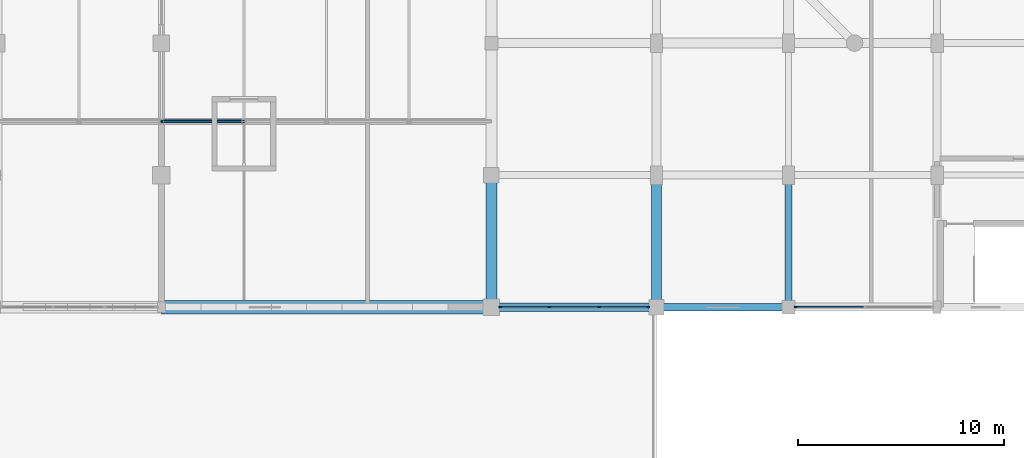
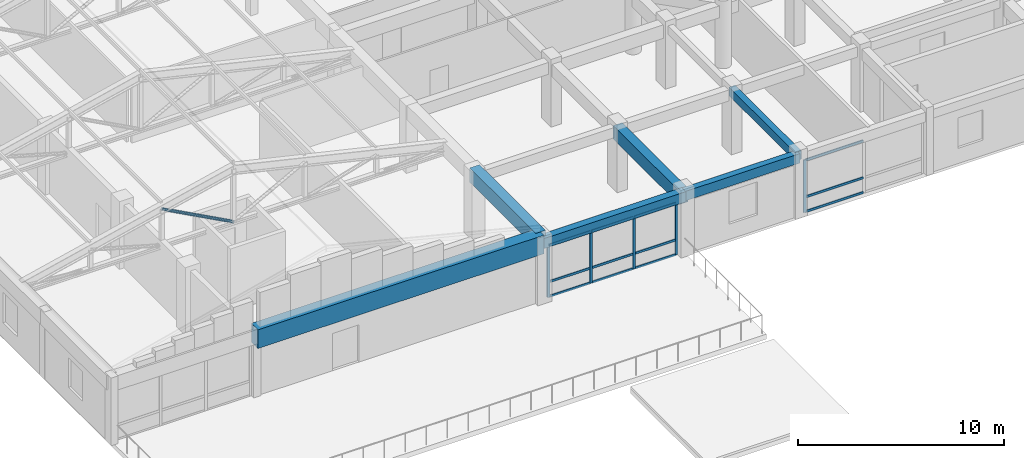
# One storey, part 3 of 27: 18 members, 6 beams, 2 elements without a shape of their own.
"""IFC4 building model written with IfcOpenShell, lengths in metres."""

from ifc_helpers import new_model, si_unit, direction, frame, origin, origin_2d, place, context, subcontext, project, spatial, rectangle, hollow_circle, extrude, material, material_profile, profile_set, type_object, element, aggregate, save


model = new_model("IFC4")

# Units and contexts
model_context = context("Model", 3, precision=1e-05, world=origin(), true_north=direction((0.0, 1.0)))
body_context = subcontext(model_context, "Body", "Model", "MODEL_VIEW")
ifc_project = project(units=[si_unit("LENGTHUNIT", "METRE"), si_unit("AREAUNIT", "SQUARE_METRE"), si_unit("VOLUMEUNIT", "CUBIC_METRE"), si_unit("PLANEANGLEUNIT", "RADIAN"), si_unit("MASSUNIT", "GRAM", prefix="KILO")], contexts=[model_context])

# Site, building, storey
site_placement = place(None, origin())
site = spatial("IfcSite", under=ifc_project, at=site_placement, CompositionType="ELEMENT")
building_placement = place(site_placement, origin())
building = spatial("IfcBuilding", under=site, at=building_placement, Name="Vellmiral Cinema and Media Centre", CompositionType="ELEMENT")
storey_placement = place(building_placement, frame((0.0, 0.0, 19.800048828125)))
storey = spatial("IfcBuildingStorey", under=building, at=storey_placement, Name="L04", CompositionType="ELEMENT", Elevation=19.800048828125)

# Beams
ifc_material_1 = material(Name="Concrete C40/50", Category="concrete")
ifc_material_profile_1 = material_profile(ifc_material_1, rectangle(XDim=0.35009765625, YDim=0.5, at=origin_2d()), Name="RC 350x500")
ifc_profile_set_1 = profile_set([ifc_material_profile_1], Name="Concrete C40/50")
beam_type_1 = type_object("IfcBeamType", Name="BM-RC-350x500", PredefinedType="BEAM", material=ifc_profile_set_1)
beam_1_placement = place(storey_placement, frame((116.800048828125, 59.199951171875, 3.445068359375), z_axis=(0.0, 1.0, 0.0), x_axis=(-1.0, 0.0, 0.0)))
element("IfcBeam", 1, at=beam_1_placement, inside=storey, type_object=beam_type_1, Name="Grid Beam L04-Y068", PredefinedType="BEAM", context=body_context, shape_type="SweptSolid", body=[
    extrude(rectangle(XDim=0.35009765625, YDim=0.5, at=origin_2d()), origin(), (0.0, 0.0, 1.0), 6.400146484375),
])
ifc_material_2 = material(Name="Concrete C40/50", Category="concrete")
ifc_material_profile_2 = material_profile(ifc_material_2, rectangle(XDim=0.5, YDim=0.800048828125, at=origin_2d()), Name="RC 500x800")
ifc_profile_set_2 = profile_set([ifc_material_profile_2], Name="Concrete C40/50")
beam_type_2 = type_object("IfcBeamType", Name="BM-RC-500x800", PredefinedType="BEAM", material=ifc_profile_set_2)
beam_2_placement = place(storey_placement, frame((110.39990234375, 59.199951171875, 3.294921875), z_axis=(0.0, 1.0, 0.0), x_axis=(-1.0, 0.0, 0.0)))
element("IfcBeam", 2, at=beam_2_placement, inside=storey, type_object=beam_type_2, Name="Grid Beam L04-Y061", PredefinedType="BEAM", context=body_context, shape_type="SweptSolid", body=[
    extrude(rectangle(XDim=0.5, YDim=0.800048828125, at=origin_2d()), origin(), (0.0, 0.0, 1.0), 6.400146484375),
])

# Curtain wall, members
ifc_material_3 = material(Name="Thermally Broken Aluminium and Triple Glazing", Category="aluminium")
curtain_wall_type = type_object("IfcCurtainWallType", Name="CW-TOWER-LOW-S", PredefinedType="USERDEFINED", material=ifc_material_3)
curtain_wall_1_placement = place(storey_placement, origin())
curtain_wall_1 = element("IfcCurtainWall", 3, at=curtain_wall_1_placement, inside=storey, type_object=curtain_wall_type, Name="Curtain Wall L04-B003", ObjectType="UNITISED CURTAIN WALL", PredefinedType="USERDEFINED")
ifc_material_4 = material(Name="Thermally Broken Anodised Aluminium", Category="aluminium")
ifc_material_profile_3 = material_profile(ifc_material_4, rectangle(XDim=0.06494140625, YDim=0.159912109375, at=origin_2d()), Name="MULL 65x160")
ifc_profile_set_3 = profile_set([ifc_material_profile_3], Name="Thermally Broken Anodised Aluminium")
member_type_1 = type_object("IfcMemberType", Name="CWM-65x160", PredefinedType="MULLION", material=ifc_profile_set_3)
member_1_placement = place(storey_placement, frame((102.83251953125, 59.199951171875, 0.0), z_axis=(0.0, 0.0, 1.0), x_axis=(0.0, 1.0, 0.0)))
member_1 = element("IfcMember", 4, at=member_1_placement, type_object=member_type_1, Name="CW-06 mullion 1", PredefinedType="MULLION", context=body_context, shape_type="SweptSolid", body=[
    extrude(rectangle(XDim=0.06494140625, YDim=0.159912109375, at=origin_2d()), origin(), (0.0, 0.0, 1.0), 3.0849609375),
])
member_2_placement = place(storey_placement, frame((105.208251953125, 59.199951171875, 0.0), z_axis=(0.0, 0.0, 1.0), x_axis=(0.0, 1.0, 0.0)))
member_2 = element("IfcMember", 5, at=member_2_placement, type_object=member_type_1, Name="CW-06 mullion 2", PredefinedType="MULLION", context=body_context, shape_type="SweptSolid", body=[
    extrude(rectangle(XDim=0.06494140625, YDim=0.159912109375, at=origin_2d()), origin(), (0.0, 0.0, 1.0), 3.0849609375),
])
member_3_placement = place(storey_placement, frame((107.61669921875, 59.199951171875, 0.0), z_axis=(0.0, 0.0, 1.0), x_axis=(0.0, 1.0, 0.0)))
member_3 = element("IfcMember", 6, at=member_3_placement, type_object=member_type_1, Name="CW-06 mullion 3", PredefinedType="MULLION", context=body_context, shape_type="SweptSolid", body=[
    extrude(rectangle(XDim=0.06494140625, YDim=0.159912109375, at=origin_2d()), origin(), (0.0, 0.0, 1.0), 3.0849609375),
])
member_4_placement = place(storey_placement, frame((109.992431640625, 59.199951171875, 0.0), z_axis=(0.0, 0.0, 1.0), x_axis=(0.0, 1.0, 0.0)))
member_4 = element("IfcMember", 7, at=member_4_placement, type_object=member_type_1, Name="CW-06 mullion 4", PredefinedType="MULLION", context=body_context, shape_type="SweptSolid", body=[
    extrude(rectangle(XDim=0.06494140625, YDim=0.159912109375, at=origin_2d()), origin(), (0.0, 0.0, 1.0), 3.0849609375),
])

# Curtain wall, member
curtain_wall_2_placement = place(storey_placement, origin())
curtain_wall_2 = element("IfcCurtainWall", 8, at=curtain_wall_2_placement, inside=storey, type_object=curtain_wall_type, Name="Curtain Wall L04-B005", ObjectType="UNITISED CURTAIN WALL", PredefinedType="USERDEFINED")
member_5_placement = place(storey_placement, frame((117.157470703125, 59.199951171875, 0.0), z_axis=(0.0, 0.0, 1.0), x_axis=(0.0, 1.0, 0.0)))
member_5 = element("IfcMember", 9, at=member_5_placement, type_object=member_type_1, Name="CW-06 mullion 1", PredefinedType="MULLION", context=body_context, shape_type="SweptSolid", body=[
    extrude(rectangle(XDim=0.06494140625, YDim=0.159912109375, at=origin_2d()), origin(), (0.0, 0.0, 1.0), 3.099853515625),
])

# Member
ifc_material_5 = material(Name="Thermally Broken Anodised Aluminium", Category="aluminium")
ifc_material_profile_4 = material_profile(ifc_material_5, rectangle(XDim=0.06494140625, YDim=0.135009765625, at=origin_2d()), Name="MULL 65x135")
ifc_profile_set_4 = profile_set([ifc_material_profile_4], Name="Thermally Broken Anodised Aluminium")
member_type_2 = type_object("IfcMemberType", Name="CWT-65x135", PredefinedType="USERDEFINED", material=ifc_profile_set_4)
member_6_placement = place(storey_placement, frame((102.864990234375, 59.199951171875, 0.032470703125), z_axis=(1.0, 0.0, 0.0), x_axis=(0.0, 1.0, 0.0)))
member_6 = element("IfcMember", 10, at=member_6_placement, type_object=member_type_2, Name="CW-06 transom 1.1", ObjectType="TRANSOM", PredefinedType="USERDEFINED", context=body_context, shape_type="SweptSolid", body=[
    extrude(rectangle(XDim=0.06494140625, YDim=0.135009765625, at=origin_2d()), origin(), (0.0, 0.0, 1.0), 2.310791015625),
])

member_7_placement = place(storey_placement, frame((102.864990234375, 59.199951171875, 0.89990234375), z_axis=(1.0, 0.0, 0.0), x_axis=(0.0, 1.0, 0.0)))
member_7 = element("IfcMember", 11, at=member_7_placement, type_object=member_type_2, Name="CW-06 transom 1.2", ObjectType="TRANSOM", PredefinedType="USERDEFINED", context=body_context, shape_type="SweptSolid", body=[
    extrude(rectangle(XDim=0.06494140625, YDim=0.135009765625, at=origin_2d()), origin(), (0.0, 0.0, 1.0), 2.310791015625),
])

member_8_placement = place(storey_placement, frame((102.864990234375, 59.199951171875, 3.052490234375), z_axis=(1.0, 0.0, 0.0), x_axis=(0.0, 1.0, 0.0)))
member_8 = element("IfcMember", 12, at=member_8_placement, type_object=member_type_2, Name="CW-06 transom 1.3", ObjectType="TRANSOM", PredefinedType="USERDEFINED", context=body_context, shape_type="SweptSolid", body=[
    extrude(rectangle(XDim=0.06494140625, YDim=0.135009765625, at=origin_2d()), origin(), (0.0, 0.0, 1.0), 2.310791015625),
])

member_9_placement = place(storey_placement, frame((105.24072265625, 59.199951171875, 0.032470703125), z_axis=(1.0, 0.0, 0.0), x_axis=(0.0, 1.0, 0.0)))
member_9 = element("IfcMember", 13, at=member_9_placement, type_object=member_type_2, Name="CW-06 transom 2.1", ObjectType="TRANSOM", PredefinedType="USERDEFINED", context=body_context, shape_type="SweptSolid", body=[
    extrude(rectangle(XDim=0.06494140625, YDim=0.135009765625, at=origin_2d()), origin(), (0.0, 0.0, 1.0), 2.343505859375),
])

member_10_placement = place(storey_placement, frame((105.24072265625, 59.199951171875, 0.89990234375), z_axis=(1.0, 0.0, 0.0), x_axis=(0.0, 1.0, 0.0)))
member_10 = element("IfcMember", 14, at=member_10_placement, type_object=member_type_2, Name="CW-06 transom 2.2", ObjectType="TRANSOM", PredefinedType="USERDEFINED", context=body_context, shape_type="SweptSolid", body=[
    extrude(rectangle(XDim=0.06494140625, YDim=0.135009765625, at=origin_2d()), origin(), (0.0, 0.0, 1.0), 2.343505859375),
])

member_11_placement = place(storey_placement, frame((105.24072265625, 59.199951171875, 3.052490234375), z_axis=(1.0, 0.0, 0.0), x_axis=(0.0, 1.0, 0.0)))
member_11 = element("IfcMember", 15, at=member_11_placement, type_object=member_type_2, Name="CW-06 transom 2.3", ObjectType="TRANSOM", PredefinedType="USERDEFINED", context=body_context, shape_type="SweptSolid", body=[
    extrude(rectangle(XDim=0.06494140625, YDim=0.135009765625, at=origin_2d()), origin(), (0.0, 0.0, 1.0), 2.343505859375),
])

member_12_placement = place(storey_placement, frame((107.649169921875, 59.199951171875, 0.032470703125), z_axis=(1.0, 0.0, 0.0), x_axis=(0.0, 1.0, 0.0)))
member_12 = element("IfcMember", 16, at=member_12_placement, type_object=member_type_2, Name="CW-06 transom 3.1", ObjectType="TRANSOM", PredefinedType="USERDEFINED", context=body_context, shape_type="SweptSolid", body=[
    extrude(rectangle(XDim=0.06494140625, YDim=0.135009765625, at=origin_2d()), origin(), (0.0, 0.0, 1.0), 2.310791015625),
])

member_13_placement = place(storey_placement, frame((107.649169921875, 59.199951171875, 0.89990234375), z_axis=(1.0, 0.0, 0.0), x_axis=(0.0, 1.0, 0.0)))
member_13 = element("IfcMember", 17, at=member_13_placement, type_object=member_type_2, Name="CW-06 transom 3.2", ObjectType="TRANSOM", PredefinedType="USERDEFINED", context=body_context, shape_type="SweptSolid", body=[
    extrude(rectangle(XDim=0.06494140625, YDim=0.135009765625, at=origin_2d()), origin(), (0.0, 0.0, 1.0), 2.310791015625),
])

member_14_placement = place(storey_placement, frame((107.649169921875, 59.199951171875, 3.052490234375), z_axis=(1.0, 0.0, 0.0), x_axis=(0.0, 1.0, 0.0)))
member_14 = element("IfcMember", 18, at=member_14_placement, type_object=member_type_2, Name="CW-06 transom 3.3", ObjectType="TRANSOM", PredefinedType="USERDEFINED", context=body_context, shape_type="SweptSolid", body=[
    extrude(rectangle(XDim=0.06494140625, YDim=0.135009765625, at=origin_2d()), origin(), (0.0, 0.0, 1.0), 2.310791015625),
])

aggregate(curtain_wall_1, [member_1, member_2, member_3, member_4, member_6, member_7, member_8, member_9, member_10, member_11, member_12, member_13, member_14])

member_15_placement = place(storey_placement, frame((117.18994140625, 59.199951171875, 0.032470703125), z_axis=(1.0, 0.0, 0.0), x_axis=(0.0, 1.0, 0.0)))
member_15 = element("IfcMember", 19, at=member_15_placement, type_object=member_type_2, Name="CW-06 transom 1.1", ObjectType="TRANSOM", PredefinedType="USERDEFINED", context=body_context, shape_type="SweptSolid", body=[
    extrude(rectangle(XDim=0.06494140625, YDim=0.135009765625, at=origin_2d()), origin(), (0.0, 0.0, 1.0), 3.239990234375),
])

member_16_placement = place(storey_placement, frame((117.18994140625, 59.199951171875, 0.89990234375), z_axis=(1.0, 0.0, 0.0), x_axis=(0.0, 1.0, 0.0)))
member_16 = element("IfcMember", 20, at=member_16_placement, type_object=member_type_2, Name="CW-06 transom 1.2", ObjectType="TRANSOM", PredefinedType="USERDEFINED", context=body_context, shape_type="SweptSolid", body=[
    extrude(rectangle(XDim=0.06494140625, YDim=0.135009765625, at=origin_2d()), origin(), (0.0, 0.0, 1.0), 3.239990234375),
])

member_17_placement = place(storey_placement, frame((117.18994140625, 59.199951171875, 3.0673828125), z_axis=(1.0, 0.0, 0.0), x_axis=(0.0, 1.0, 0.0)))
member_17 = element("IfcMember", 21, at=member_17_placement, type_object=member_type_2, Name="CW-06 transom 1.3", ObjectType="TRANSOM", PredefinedType="USERDEFINED", context=body_context, shape_type="SweptSolid", body=[
    extrude(rectangle(XDim=0.06494140625, YDim=0.135009765625, at=origin_2d()), origin(), (0.0, 0.0, 1.0), 3.239990234375),
])

aggregate(curtain_wall_2, [member_5, member_15, member_16, member_17])

# Beams
ifc_material_6 = material(Name="Concrete C40/50", Category="concrete")
ifc_material_profile_5 = material_profile(ifc_material_6, rectangle(XDim=0.550048828125, YDim=0.85009765625, at=origin_2d()), Name="RC 550x850")
ifc_profile_set_5 = profile_set([ifc_material_profile_5], Name="Concrete C40/50")
beam_type_3 = type_object("IfcBeamType", Name="RING-BM-550x850", PredefinedType="BEAM", material=ifc_profile_set_5)
beam_3_placement = place(storey_placement, frame((102.39990234375, 59.199951171875, 3.574951171875), z_axis=(0.0, 1.0, 0.0), x_axis=(-1.0, 0.0, 0.0)))
element("IfcBeam", 22, at=beam_3_placement, inside=storey, type_object=beam_type_3, Name="Stepped Broadcast Bridge Barrel Vault Ring Beam 10", PredefinedType="BEAM", context=body_context, shape_type="SweptSolid", body=[
    extrude(rectangle(XDim=0.550048828125, YDim=0.85009765625, at=origin_2d()), origin(), (0.0, 0.0, 1.0), 6.400146484375),
])
ifc_material_7 = material(Name="Concrete C40/50", Category="concrete")
ifc_material_profile_6 = material_profile(ifc_material_7, rectangle(XDim=0.64990234375, YDim=1.10009765625, at=origin_2d()), Name="RC 650x1100")
ifc_profile_set_6 = profile_set([ifc_material_profile_6], Name="Concrete C40/50")
beam_type_4 = type_object("IfcBeamType", Name="RING-BMG-650x1100", PredefinedType="BEAM", material=ifc_profile_set_6)
beam_4_placement = place(storey_placement, frame((86.39990234375, 59.199951171875, 3.449951171875), z_axis=(1.0, 0.0, 0.0), x_axis=(0.0, 1.0, 0.0)))
element("IfcBeam", 23, at=beam_4_placement, inside=storey, type_object=beam_type_4, Name="Stepped Broadcast Bridge Barrel Vault Ring Beam 02", PredefinedType="BEAM", context=body_context, shape_type="SweptSolid", body=[
    extrude(rectangle(XDim=0.64990234375, YDim=1.10009765625, at=origin_2d()), origin(), (0.0, 0.0, 1.0), 16.0),
])
ifc_material_8 = material(Name="Concrete C40/50", Category="concrete")
ifc_material_profile_7 = material_profile(ifc_material_8, rectangle(XDim=0.35009765625, YDim=0.56005859375, at=origin_2d()), Name="RC 350x560")
ifc_profile_set_7 = profile_set([ifc_material_profile_7], Name="Concrete C40/50")
beam_type_5 = type_object("IfcBeamType", Name="SPD-RC-350x560", PredefinedType="SPANDREL", material=ifc_profile_set_7)
beam_5_placement = place(storey_placement, frame((110.39990234375, 59.199951171875, 3.4150390625), z_axis=(1.0, 0.0, 0.0), x_axis=(0.0, 1.0, 0.0)))
element("IfcBeam", 24, at=beam_5_placement, inside=storey, type_object=beam_type_5, Name="Grid Beam L04-X002", PredefinedType="SPANDREL", context=body_context, shape_type="SweptSolid", body=[
    extrude(rectangle(XDim=0.35009765625, YDim=0.56005859375, at=origin_2d()), origin(), (0.0, 0.0, 1.0), 6.400146484375),
])
ifc_material_9 = material(Name="Concrete C40/50", Category="concrete")
ifc_material_profile_8 = material_profile(ifc_material_9, rectangle(XDim=0.39990234375, YDim=0.60009765625, at=origin_2d()), Name="RC 400x600")
ifc_profile_set_8 = profile_set([ifc_material_profile_8], Name="Concrete C40/50")
beam_type_6 = type_object("IfcBeamType", Name="SPD-RC-400x600", PredefinedType="SPANDREL", material=ifc_profile_set_8)
beam_6_placement = place(storey_placement, frame((102.39990234375, 59.199951171875, 3.39501953125), z_axis=(1.0, 0.0, 0.0), x_axis=(0.0, 1.0, 0.0)))
element("IfcBeam", 25, at=beam_6_placement, inside=storey, type_object=beam_type_6, Name="Grid Beam L04-X001", PredefinedType="SPANDREL", context=body_context, shape_type="SweptSolid", body=[
    extrude(rectangle(XDim=0.39990234375, YDim=0.60009765625, at=origin_2d()), origin(), (0.0, 0.0, 1.0), 8.0),
])

# Member
ifc_material_10 = material(Name="Steel S355", Category="steel")
ifc_material_profile_9 = material_profile(ifc_material_10, hollow_circle(Radius=0.084228515625, WallThickness=0.008056640625, at=origin_2d()), Name="CHS 168.3x8.0")
ifc_profile_set_9 = profile_set([ifc_material_profile_9], Name="Steel S355")
member_type_3 = type_object("IfcMemberType", Name="TBR-CHS168", PredefinedType="BRACE", material=ifc_profile_set_9)
member_18_placement = place(storey_placement, frame((86.39990234375, 68.199951171875, 5.49951171875), z_axis=(0.880855783543, 0.0, -0.473384715216), x_axis=(0.0, 1.0, 0.0)))
element("IfcMember", 26, at=member_18_placement, inside=storey, type_object=member_type_3, Name="Roof Truss TR-09.1 Diagonal 3", PredefinedType="BRACE", context=body_context, shape_type="SweptSolid", body=[
    extrude(hollow_circle(Radius=0.084228515625, WallThickness=0.008056640625, at=origin_2d()), origin(), (0.0, 0.0, 1.0), 4.541015625),
])

save(model, "model.ifc")
